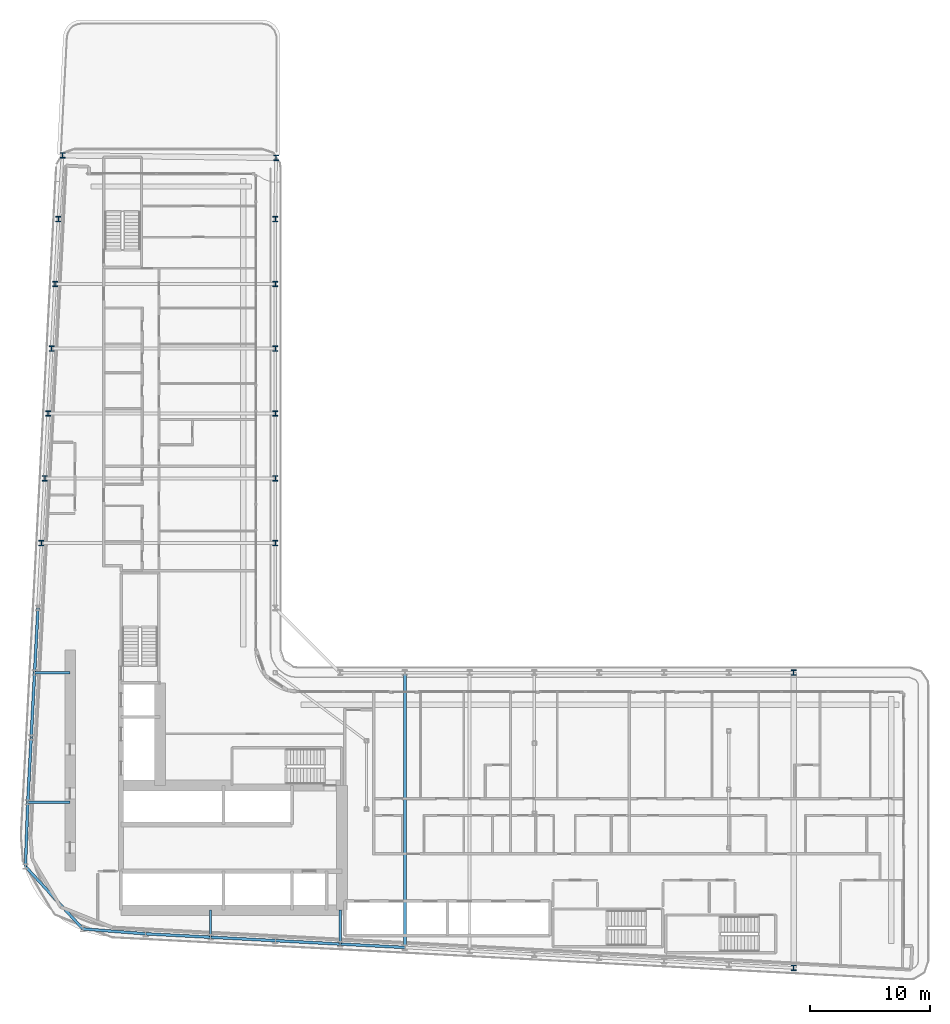
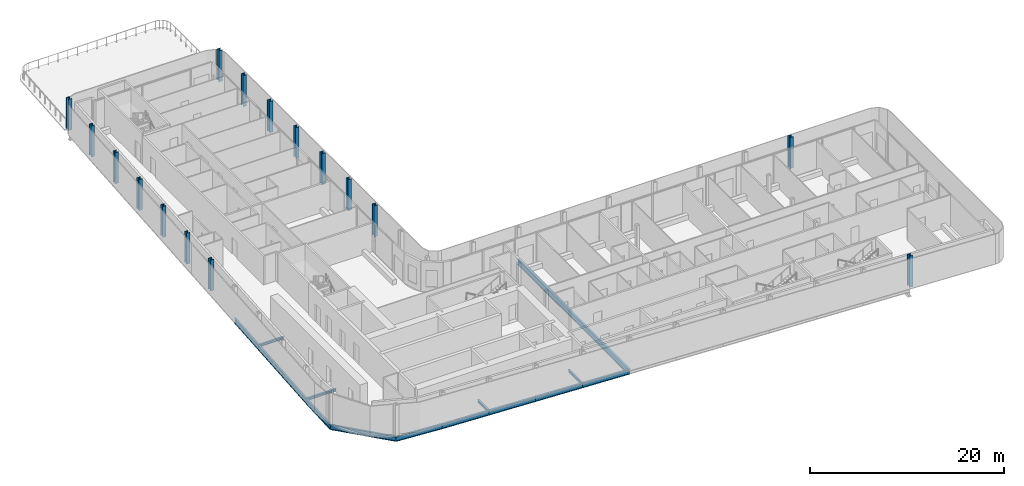
# One storey, part 3 of 28: 16 columns, 15 beams.
"""IFC4 building model written with IfcOpenShell, lengths in metres."""

from ifc_helpers import new_model, si_unit, direction, frame, origin, origin_2d, place, context, subcontext, project, spatial, i_section, extrude, material, material_profile, profile_set, type_object, element, save


model = new_model("IFC4")

# Units and contexts
model_context = context("Model", 3, precision=1e-05, world=origin(), true_north=direction((0.0, 1.0)))
body_context = subcontext(model_context, "Body", "Model", "MODEL_VIEW")
ifc_project = project(units=[si_unit("LENGTHUNIT", "METRE"), si_unit("AREAUNIT", "SQUARE_METRE"), si_unit("VOLUMEUNIT", "CUBIC_METRE"), si_unit("PLANEANGLEUNIT", "RADIAN"), si_unit("MASSUNIT", "GRAM", prefix="KILO")], contexts=[model_context])

# Site, building, storey
site_placement = place(None, origin())
site = spatial("IfcSite", under=ifc_project, at=site_placement, CompositionType="ELEMENT")
building_placement = place(site_placement, origin())
building = spatial("IfcBuilding", under=site, at=building_placement, Name="Kheshtan School and Residences Tower", CompositionType="ELEMENT")
storey_placement = place(building_placement, frame((0.0, 0.0, 94.10009765625)))
storey = spatial("IfcBuildingStorey", under=building, at=storey_placement, Name="L21", CompositionType="ELEMENT", Elevation=94.10009765625)

# Columns
ifc_material = material(Name="Steel ASTM A992 Grade 50", Category="steel")
ifc_material_profile_1 = material_profile(ifc_material, i_section(OverallWidth=0.41796875, OverallDepth=0.455078125, WebThickness=0.042236328125, FlangeThickness=0.067626953125, FilletRadius=0.013671875, at=origin_2d()), Name="W360x551")
ifc_profile_set_1 = profile_set([ifc_material_profile_1], Name="Steel ASTM A992 Grade 50")
column_type = type_object("IfcColumnType", Name="Column C2 W360x551 ASTM A992 Grade 50", PredefinedType="COLUMN", material=ifc_profile_set_1)
for number, where, z_axis, x_axis, name in (
    (1, (90.800048828125, 20.989990234375, 0.0), (0.0, 0.0, 1.0), (1.0, 0.0, 0.0), "Column C006"),
    (2, (90.800048828125, 45.60009765625, 0.0), (0.0, 0.0, 1.0), (1.0, 0.0, 0.0), "Column C068"),
    (3, (28.10595703125, 56.39990234375, 0.0), (0.0, 0.0, 1.0), (1.0, 0.0, 0.0), "Column C080"),
    (4, (47.60009765625, 56.39990234375, 0.0), (0.0, 0.0, 1.0), (1.0, 0.0, 0.0), "Column C081"),
    (5, (28.389892578125, 61.800048828125, 0.0), (0.0, 0.0, 1.0), (1.0, 0.0, 0.0), "Column C082"),
    (6, (47.60009765625, 61.800048828125, 0.0), (0.0, 0.0, 1.0), (1.0, 0.0, 0.0), "Column C083"),
    (7, (28.674072265625, 67.199951171875, 0.0), (0.0, 0.0, 1.0), (1.0, 0.0, 0.0), "Column C084"),
    (8, (47.60009765625, 67.199951171875, 0.0), (0.0, 0.0, 1.0), (1.0, 0.0, 0.0), "Column C085"),
    (9, (28.9580078125, 72.60009765625, 0.0), (0.0, 0.0, 1.0), (1.0, 0.0, 0.0), "Column C086"),
    (10, (47.60009765625, 72.60009765625, 0.0), (0.0, 0.0, 1.0), (1.0, 0.0, 0.0), "Column C087"),
    (11, (29.242919921875, 78.0, 0.0), (0.0, 0.0, 1.0), (1.0, 0.0, 0.0), "Column C088"),
    (12, (47.60009765625, 78.0, 0.0), (0.0, 0.0, 1.0), (1.0, 0.0, 0.0), "Column C089"),
    (13, (29.527099609375, 83.39990234375, 0.0), (0.0, 0.0, 1.0), (1.0, 0.0, 0.0), "Column C090"),
    (14, (47.60009765625, 83.39990234375, 0.0), (0.0, 0.0, 1.0), (1.0, 0.0, 0.0), "Column C091"),
    (15, (47.660888671875, 88.506103515625, 0.0), (0.0, 0.0, 1.0), (1.0, 0.0, 0.0), "Column C092"),
    (16, (29.863037109375, 88.715087890625, 0.0), (0.0, 0.0, 1.0), (1.0, 0.0, 0.0), "Column C097"),
):
    element("IfcColumn", number, at=place(storey_placement, frame(where, z_axis=z_axis, x_axis=x_axis)), inside=storey, type_object=column_type, Name=name, PredefinedType="COLUMN", context=body_context, shape_type="SweptSolid", body=[
        extrude(i_section(OverallWidth=0.41796875, OverallDepth=0.455078125, WebThickness=0.042236328125, FlangeThickness=0.067626953125, FilletRadius=0.013671875, at=origin_2d()), origin(), (0.0, 0.0, 1.0), 3.89990234375),
    ])

# Beams
ifc_material_profile_2 = material_profile(ifc_material, i_section(OverallWidth=0.202880859375, OverallDepth=0.302978515625, WebThickness=0.007568359375, FlangeThickness=0.01318359375, FilletRadius=0.009033203125, at=origin_2d()), Name="W310x60")
ifc_profile_set_2 = profile_set([ifc_material_profile_2], Name="Steel ASTM A992 Grade 50")
beam_type_1 = type_object("IfcBeamType", Name="Beam FB1 W310x60 ASTM A992 Grade 50", PredefinedType="BEAM", material=ifc_profile_set_2)
beam_1_placement = place(storey_placement, frame((53.0, 22.97998046875, -0.301513671875), z_axis=(0.0, 1.0, 0.0), x_axis=(-1.0, 0.0, 0.0)))
element("IfcBeam", 17, at=beam_1_placement, inside=storey, type_object=beam_type_1, Name="Floor beam C019", PredefinedType="BEAM", context=body_context, shape_type="SweptSolid", body=[
    extrude(i_section(OverallWidth=0.202880859375, OverallDepth=0.302978515625, WebThickness=0.007568359375, FlangeThickness=0.01318359375, FilletRadius=0.009033203125, at=origin_2d()), origin(), (0.0, 0.0, 1.0), 2.820068359375),
])
beam_2_placement = place(storey_placement, frame((42.199951171875, 23.548095703125, -0.301513671875), z_axis=(0.0, 1.0, 0.0), x_axis=(-1.0, 0.0, 0.0)))
element("IfcBeam", 18, at=beam_2_placement, inside=storey, type_object=beam_type_1, Name="Floor beam C021", PredefinedType="BEAM", context=body_context, shape_type="SweptSolid", body=[
    extrude(i_section(OverallWidth=0.202880859375, OverallDepth=0.302978515625, WebThickness=0.007568359375, FlangeThickness=0.01318359375, FilletRadius=0.009033203125, at=origin_2d()), origin(), (0.0, 0.0, 1.0), 2.251953125),
])
beam_3_placement = place(storey_placement, frame((26.968994140625, 34.800048828125, -0.301513671875), z_axis=(1.0, 0.0, 0.0), x_axis=(0.0, 1.0, 0.0)))
element("IfcBeam", 19, at=beam_3_placement, inside=storey, type_object=beam_type_1, Name="Floor beam C052", PredefinedType="BEAM", context=body_context, shape_type="SweptSolid", body=[
    extrude(i_section(OverallWidth=0.202880859375, OverallDepth=0.302978515625, WebThickness=0.007568359375, FlangeThickness=0.01318359375, FilletRadius=0.009033203125, at=origin_2d()), origin(), (0.0, 0.0, 1.0), 3.531005859375),
])
beam_4_placement = place(storey_placement, frame((27.537109375, 45.60009765625, -0.301513671875), z_axis=(1.0, 0.0, 0.0), x_axis=(0.0, 1.0, 0.0)))
element("IfcBeam", 20, at=beam_4_placement, inside=storey, type_object=beam_type_1, Name="Floor beam C059", PredefinedType="BEAM", context=body_context, shape_type="SweptSolid", body=[
    extrude(i_section(OverallWidth=0.202880859375, OverallDepth=0.302978515625, WebThickness=0.007568359375, FlangeThickness=0.01318359375, FilletRadius=0.009033203125, at=origin_2d()), origin(), (0.0, 0.0, 1.0), 2.962890625),
])
ifc_material_profile_3 = material_profile(ifc_material, i_section(OverallWidth=0.2529296875, OverallDepth=0.677978515625, WebThickness=0.01171875, FlangeThickness=0.016357421875, FilletRadius=0.0146484375, at=origin_2d()), Name="W690x125")
ifc_profile_set_3 = profile_set([ifc_material_profile_3], Name="Steel ASTM A992 Grade 50")
beam_type_2 = type_object("IfcBeamType", Name="Beam FB6 W690x125 ASTM A992 Grade 50", PredefinedType="BEAM", material=ifc_profile_set_3)
beam_5_placement = place(storey_placement, frame((58.39990234375, 45.60009765625, -0.489013671875), z_axis=(0.0, -1.0, 0.0), x_axis=(1.0, 0.0, 0.0)))
element("IfcBeam", 21, at=beam_5_placement, inside=storey, type_object=beam_type_2, Name="Floor beam C062", PredefinedType="BEAM", context=body_context, shape_type="SweptSolid", body=[
    extrude(i_section(OverallWidth=0.2529296875, OverallDepth=0.677978515625, WebThickness=0.01171875, FlangeThickness=0.016357421875, FilletRadius=0.0146484375, at=origin_2d()), origin(), (0.0, 0.0, 1.0), 22.905029296875),
])
ifc_material_profile_4 = material_profile(ifc_material, i_section(OverallWidth=0.22802734375, OverallDepth=0.60302734375, WebThickness=0.010498046875, FlangeThickness=0.014892578125, FilletRadius=0.013427734375, at=origin_2d()), Name="W610x101")
ifc_profile_set_4 = profile_set([ifc_material_profile_4], Name="Steel ASTM A992 Grade 50")
beam_type_3 = type_object("IfcBeamType", Name="Beam SP2 W610x101 ASTM A992 Grade 50", PredefinedType="BEAM", material=ifc_profile_set_4)
for number, where, z_axis, x_axis, name in (
    (22, (58.39990234375, 22.695068359375, -0.45166015625), (-0.998610961136, 0.052689166816, 0.0), (-0.052689166816, -0.998610961136, 0.0), "Spandrel beam C018-C019"),
    (23, (53.0, 22.97998046875, -0.45166015625), (-0.998620447272, 0.05250906864, 0.0), (-0.05250906864, -0.998620447272, 0.0), "Spandrel beam C019-C020"),
):
    element("IfcBeam", number, at=place(storey_placement, frame(where, z_axis=z_axis, x_axis=x_axis)), inside=storey, type_object=beam_type_3, Name=name, PredefinedType="BEAM", context=body_context, shape_type="SweptSolid", body=[
        extrude(i_section(OverallWidth=0.22802734375, OverallDepth=0.60302734375, WebThickness=0.010498046875, FlangeThickness=0.014892578125, FilletRadius=0.013427734375, at=origin_2d()), origin(), (0.0, 0.0, 1.0), 5.407470703125),
    ])
beam_6_placement = place(storey_placement, frame((47.60009765625, 23.263916015625, -0.45166015625), z_axis=(-0.998618203458, 0.052551724256, 0.0), x_axis=(-0.052551724256, -0.998618203458, 0.0)))
element("IfcBeam", 24, at=beam_6_placement, inside=storey, type_object=beam_type_3, Name="Spandrel beam C020-C021", PredefinedType="BEAM", context=body_context, shape_type="SweptSolid", body=[
    extrude(i_section(OverallWidth=0.22802734375, OverallDepth=0.60302734375, WebThickness=0.010498046875, FlangeThickness=0.014892578125, FilletRadius=0.013427734375, at=origin_2d()), origin(), (0.0, 0.0, 1.0), 5.40771484375),
])
beam_7_placement = place(storey_placement, frame((42.199951171875, 23.548095703125, -0.45166015625), z_axis=(-0.998620447272, 0.05250906864, 0.0), x_axis=(-0.05250906864, -0.998620447272, 0.0)))
element("IfcBeam", 25, at=beam_7_placement, inside=storey, type_object=beam_type_3, Name="Spandrel beam C021-C022", PredefinedType="BEAM", context=body_context, shape_type="SweptSolid", body=[
    extrude(i_section(OverallWidth=0.22802734375, OverallDepth=0.60302734375, WebThickness=0.010498046875, FlangeThickness=0.014892578125, FilletRadius=0.013427734375, at=origin_2d()), origin(), (0.0, 0.0, 1.0), 5.407470703125),
])
beam_8_placement = place(storey_placement, frame((36.800048828125, 23.83203125, -0.45166015625), z_axis=(-0.996960114111, 0.077913611599, 0.0), x_axis=(-0.077913611599, -0.996960114111, 0.0)))
element("IfcBeam", 26, at=beam_8_placement, inside=storey, type_object=beam_type_3, Name="Spandrel beam C022-C023", PredefinedType="BEAM", context=body_context, shape_type="SweptSolid", body=[
    extrude(i_section(OverallWidth=0.22802734375, OverallDepth=0.60302734375, WebThickness=0.010498046875, FlangeThickness=0.014892578125, FilletRadius=0.013427734375, at=origin_2d()), origin(), (0.0, 0.0, 1.0), 5.26123046875),
])
beam_9_placement = place(storey_placement, frame((31.554931640625, 24.241943359375, -0.45166015625), z_axis=(-0.676606556481, 0.736344734297, 0.0), x_axis=(-0.736344734297, -0.676606556481, 0.0)))
element("IfcBeam", 27, at=beam_9_placement, inside=storey, type_object=beam_type_3, Name="Spandrel beam C023-C036", PredefinedType="BEAM", context=body_context, shape_type="SweptSolid", body=[
    extrude(i_section(OverallWidth=0.22802734375, OverallDepth=0.60302734375, WebThickness=0.010498046875, FlangeThickness=0.014892578125, FilletRadius=0.013427734375, at=origin_2d()), origin(), (0.0, 0.0, 1.0), 7.066162109375),
])
beam_10_placement = place(storey_placement, frame((26.77392578125, 29.445068359375, -0.45166015625), z_axis=(0.036403319341, 0.999337179505, 0.0), x_axis=(-0.999337179505, 0.036403319341, 0.0)))
element("IfcBeam", 28, at=beam_10_placement, inside=storey, type_object=beam_type_3, Name="Spandrel beam C036-C052", PredefinedType="BEAM", context=body_context, shape_type="SweptSolid", body=[
    extrude(i_section(OverallWidth=0.22802734375, OverallDepth=0.60302734375, WebThickness=0.010498046875, FlangeThickness=0.014892578125, FilletRadius=0.013427734375, at=origin_2d()), origin(), (0.0, 0.0, 1.0), 5.358642578125),
])
beam_11_placement = place(storey_placement, frame((26.968994140625, 34.800048828125, -0.45166015625), z_axis=(0.05250906864, 0.998620447272, 0.0), x_axis=(-0.998620447272, 0.05250906864, 0.0)))
element("IfcBeam", 29, at=beam_11_placement, inside=storey, type_object=beam_type_3, Name="Spandrel beam C052-C056", PredefinedType="BEAM", context=body_context, shape_type="SweptSolid", body=[
    extrude(i_section(OverallWidth=0.22802734375, OverallDepth=0.60302734375, WebThickness=0.010498046875, FlangeThickness=0.014892578125, FilletRadius=0.013427734375, at=origin_2d()), origin(), (0.0, 0.0, 1.0), 5.407470703125),
])
beam_12_placement = place(storey_placement, frame((27.2529296875, 40.199951171875, -0.45166015625), z_axis=(0.052551724256, 0.998618203458, 0.0), x_axis=(-0.998618203458, 0.052551724256, 0.0)))
element("IfcBeam", 30, at=beam_12_placement, inside=storey, type_object=beam_type_3, Name="Spandrel beam C056-C059", PredefinedType="BEAM", context=body_context, shape_type="SweptSolid", body=[
    extrude(i_section(OverallWidth=0.22802734375, OverallDepth=0.60302734375, WebThickness=0.010498046875, FlangeThickness=0.014892578125, FilletRadius=0.013427734375, at=origin_2d()), origin(), (0.0, 0.0, 1.0), 5.40771484375),
])
beam_13_placement = place(storey_placement, frame((27.537109375, 45.60009765625, -0.45166015625), z_axis=(0.052689166816, 0.998610961136, 0.0), x_axis=(-0.998610961136, 0.052689166816, 0.0)))
element("IfcBeam", 31, at=beam_13_placement, inside=storey, type_object=beam_type_3, Name="Spandrel beam C059-C078", PredefinedType="BEAM", context=body_context, shape_type="SweptSolid", body=[
    extrude(i_section(OverallWidth=0.22802734375, OverallDepth=0.60302734375, WebThickness=0.010498046875, FlangeThickness=0.014892578125, FilletRadius=0.013427734375, at=origin_2d()), origin(), (0.0, 0.0, 1.0), 5.407470703125),
])

save(model, "model.ifc")
